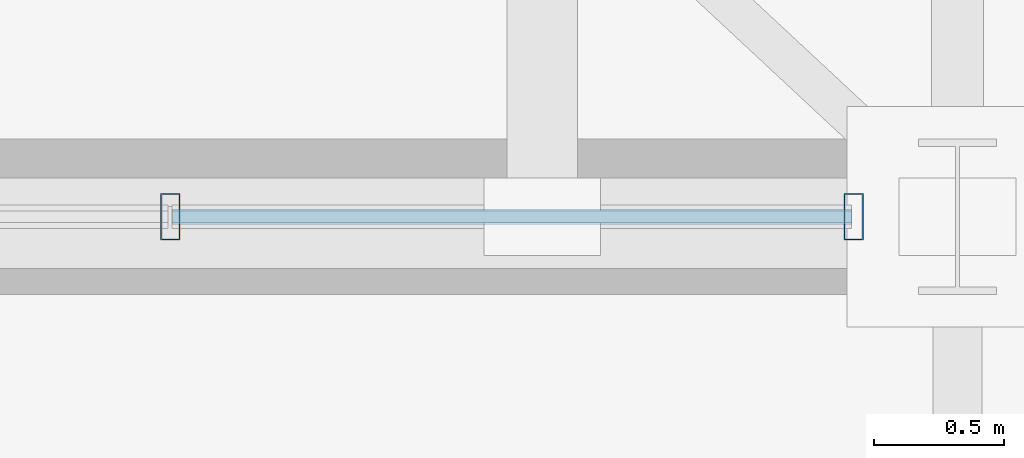
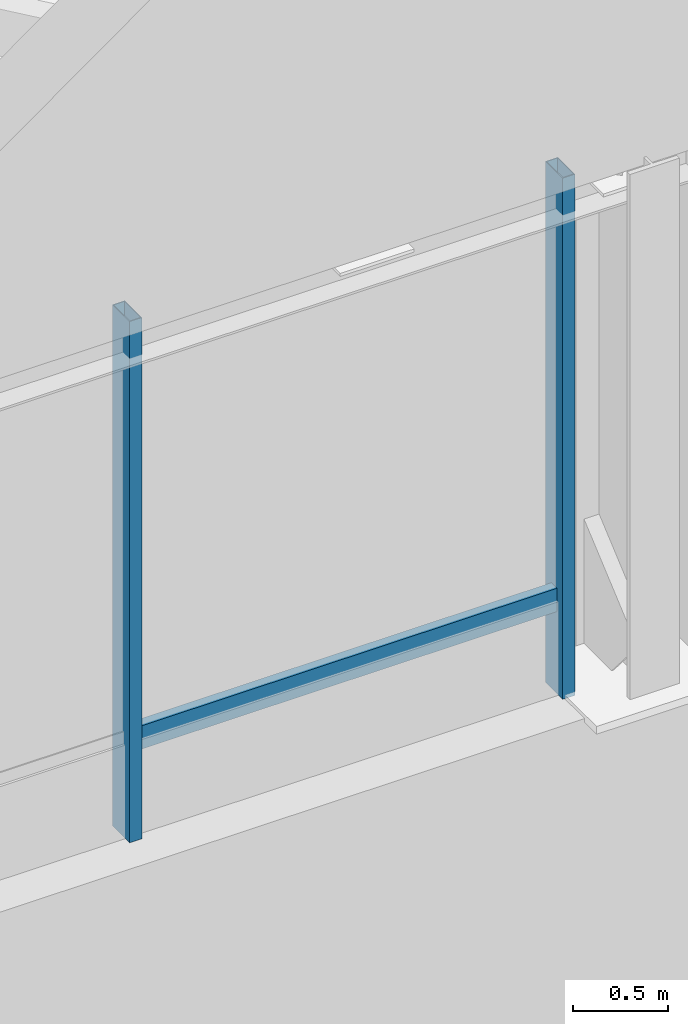
# One storey, part 4 of 22: 3 members, 1 element without a shape of its own.
"""IFC4 building model written with IfcOpenShell, lengths in metres."""

from ifc_helpers import new_model, si_unit, direction, frame, origin, origin_2d, place, context, subcontext, project, spatial, hollow_rectangle, extrude, material, layer, layer_set, material_profile, profile_set, type_object, element, aggregate, save


model = new_model("IFC4")

# Units and contexts
model_context = context("Model", 3, precision=1e-05, world=origin(), true_north=direction((0.0, 1.0)))
body_context = subcontext(model_context, "Body", "Model", "MODEL_VIEW")
ifc_project = project(units=[si_unit("LENGTHUNIT", "METRE"), si_unit("AREAUNIT", "SQUARE_METRE"), si_unit("VOLUMEUNIT", "CUBIC_METRE"), si_unit("PLANEANGLEUNIT", "RADIAN"), si_unit("MASSUNIT", "GRAM", prefix="KILO")], contexts=[model_context])

# Site, building, storey
site_placement = place(None, origin())
site = spatial("IfcSite", under=ifc_project, at=site_placement, CompositionType="ELEMENT")
building_placement = place(site_placement, origin())
building = spatial("IfcBuilding", under=site, at=building_placement, Name="Belovzor Exchange Tower", CompositionType="ELEMENT")
storey_placement = place(building_placement, frame((0.0, 0.0, 378.60009765625)))
storey = spatial("IfcBuildingStorey", under=building, at=storey_placement, Name="RF", CompositionType="ELEMENT", Elevation=378.60009765625)

# Curtain wall, members
ifc_material_1 = material(Name="Anodised Aluminium Framing", Category="aluminium")
ifc_layer = layer(ifc_material_1, 0.169921875)
ifc_layer_set = layer_set([ifc_layer], Name="Anodised Aluminium Framing")
curtain_wall_type = type_object("IfcCurtainWallType", Name="Stepped Crown Faceted Lantern Curtain Wall", PredefinedType="NOTDEFINED", material=ifc_layer_set)
curtain_wall_placement = place(storey_placement, origin())
curtain_wall = element("IfcCurtainWall", 1, at=curtain_wall_placement, inside=storey, type_object=curtain_wall_type, Name="CW6 Stepped Crown Faceted Lantern Curtain Wall RF", PredefinedType="NOTDEFINED")
ifc_material_2 = material(Name="Steel S355", Category="steel")
ifc_material_profile_1 = material_profile(ifc_material_2, hollow_rectangle(XDim=0.074951171875, YDim=0.179931640625, WallThickness=0.0048828125, at=origin_2d()))
ifc_profile_set_1 = profile_set([ifc_material_profile_1], Name="Steel S355")
member_type_1 = type_object("IfcMemberType", Name="Thermally Broken Curtain Wall Mullion 180x75", PredefinedType="MULLION", material=ifc_profile_set_1)
member_1_placement = place(storey_placement, frame((28.39990234375, 20.10009765625, 2.599853515625), z_axis=(0.0, 0.0, 1.0), x_axis=(-1.0, 0.0, 0.0)))
member_1 = element("IfcMember", 2, at=member_1_placement, type_object=member_type_1, Name="CW-M180 Curtain Wall Mullion 1", PredefinedType="MULLION", context=body_context, shape_type="SweptSolid", body=[
    extrude(hollow_rectangle(XDim=0.074951171875, YDim=0.179931640625, WallThickness=0.0048828125, at=origin_2d()), origin(), (0.0, 0.0, 1.0), 3.35009765625),
])
member_2_placement = place(storey_placement, frame((25.76708984375, 20.10009765625, 2.599853515625), z_axis=(0.0, 0.0, 1.0), x_axis=(-1.0, 0.0, 0.0)))
member_2 = element("IfcMember", 3, at=member_2_placement, type_object=member_type_1, Name="CW-M180 Curtain Wall Mullion 2", PredefinedType="MULLION", context=body_context, shape_type="SweptSolid", body=[
    extrude(hollow_rectangle(XDim=0.074951171875, YDim=0.179931640625, WallThickness=0.0048828125, at=origin_2d()), origin(), (0.0, 0.0, 1.0), 3.35009765625),
])
ifc_material_3 = material(Name="Steel S355", Category="steel")
ifc_material_profile_2 = material_profile(ifc_material_3, hollow_rectangle(XDim=0.06005859375, YDim=0.14990234375, WallThickness=0.00390625, at=origin_2d()))
ifc_profile_set_2 = profile_set([ifc_material_profile_2], Name="Steel S355")
member_type_2 = type_object("IfcMemberType", Name="Thermally Broken Curtain Wall Transom 150x60", PredefinedType="USERDEFINED", material=ifc_profile_set_2)
member_3_placement = place(storey_placement, frame((28.39208984375, 20.10009765625, 3.202880859375), z_axis=(-1.0, 0.0, 0.0), x_axis=(0.0, -1.0, 0.0)))
member_3 = element("IfcMember", 4, at=member_3_placement, type_object=member_type_2, Name="CW-T150 Curtain Wall Transom 1", ObjectType="TRANSOM", PredefinedType="USERDEFINED", context=body_context, shape_type="SweptSolid", body=[
    extrude(hollow_rectangle(XDim=0.06005859375, YDim=0.14990234375, WallThickness=0.00390625, at=origin_2d()), origin(), (0.0, 0.0, 1.0), 2.6171875),
])
aggregate(curtain_wall, [member_1, member_2, member_3])

save(model, "model.ifc")
